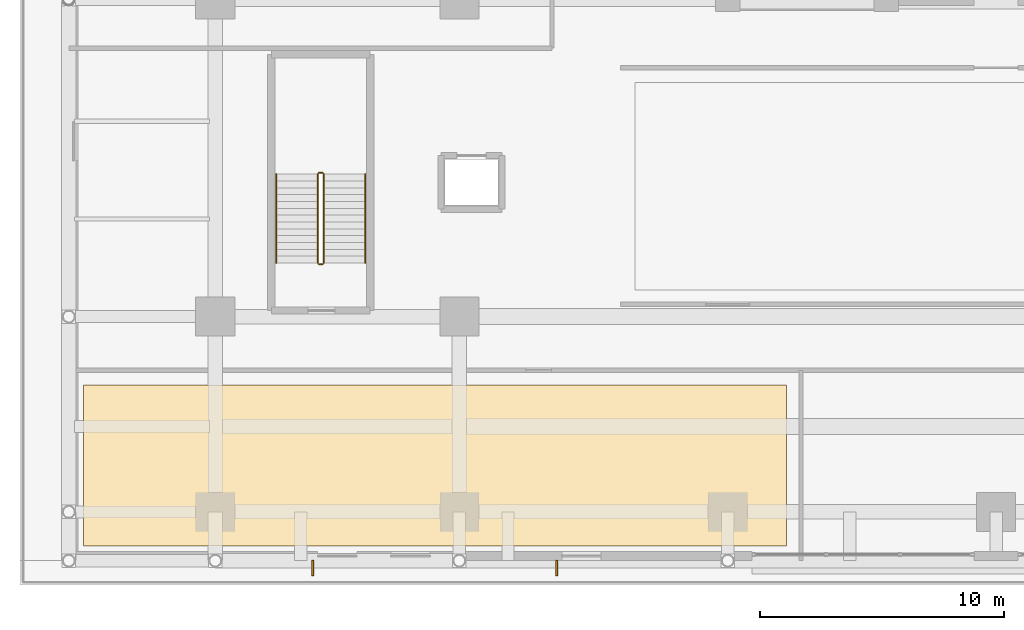
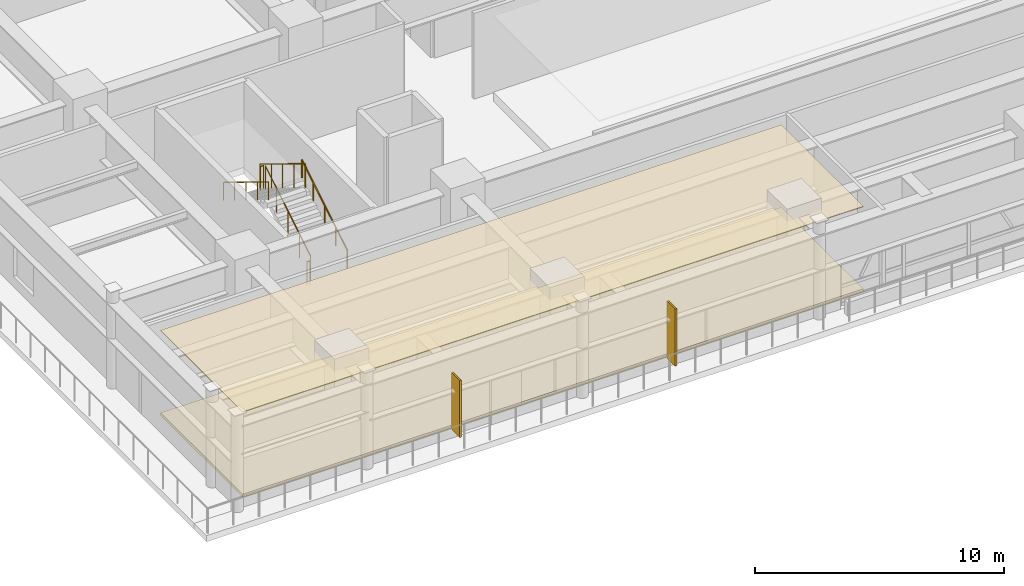
# One storey, part 29 of 35: 6 railings, 2 coverings, 2 shading devices.
"""IFC4 building model written with IfcOpenShell, lengths in metres."""

import ifcopenshell
import ifcopenshell.guid

model = None  # the IFC model being written
_history = None  # IfcOwnerHistory: only IFC2X3 demands one
_inside = {}  # id of a spatial element -> (the spatial element, [elements in it])
_under = {}  # id of a project, library or spatial element -> (it, [spatial elements below it])
_declared = {}  # id of a project -> (the project, [libraries it declares])
_typed = {}  # id of a type object -> (the type object, [elements of that type])
_made_of = {}  # id of a material, layer set ... -> (it, [elements and type objects made of it])


def new_model(schema):
    """Start an empty IFC model of exactly this schema.

    Asked for "IFC4X3", IfcOpenShell would pick the latest addendum, in which some entities
    have other attributes; the version numbers below select the first issue.
    IFC2X3 requires an IfcOwnerHistory on every rooted entity: one is made here for all.
    """
    global model, _history
    if schema == "IFC4X3":
        model = ifcopenshell.file(schema_version=(4, 3, 0, 0))
    else:
        model = ifcopenshell.file(schema=schema)
    _inside.clear()
    _under.clear()
    _declared.clear()
    _typed.clear()
    _made_of.clear()
    _history = None
    if model.schema == "IFC2X3":
        org = make("IfcOrganization", Name="unknown")
        user = make(
            "IfcPersonAndOrganization",
            ThePerson=make("IfcPerson", FamilyName="unknown"),
            TheOrganization=org,
        )
        app = make(
            "IfcApplication",
            ApplicationDeveloper=org,
            Version="unknown",
            ApplicationFullName="unknown",
            ApplicationIdentifier="unknown",
        )
        _history = make(
            "IfcOwnerHistory",
            OwningUser=user,
            OwningApplication=app,
            ChangeAction="ADDED",
            CreationDate=0,
        )
    return model


def make(cls, **values):
    """One entity of the class cls with the attributes given. An attribute that is None is left unset."""
    return model.create_entity(
        cls, **{name: value for name, value in values.items() if value is not None}
    )


def rooted(cls, **values):
    """An entity with a GlobalId (a new one), such as an element, a storey or a relation."""
    return make(cls, GlobalId=ifcopenshell.guid.new(), OwnerHistory=_history, **values)


def si_unit(unit_type, name, prefix=None):
    """IfcSIUnit, for example si_unit("LENGTHUNIT", "METRE", prefix="MILLI")."""
    return make("IfcSIUnit", UnitType=unit_type, Prefix=prefix, Name=name)


def assignment(units):
    """IfcUnitAssignment: the units of a project."""
    return None if units is None else make("IfcUnitAssignment", Units=units)


def point(xyz):
    """IfcCartesianPoint."""
    return None if xyz is None else make("IfcCartesianPoint", Coordinates=xyz)


def direction(xyz):
    """IfcDirection."""
    return None if xyz is None else make("IfcDirection", DirectionRatios=xyz)


def frame(location, z_axis=None, x_axis=None):
    """IfcAxis2Placement3D, a coordinate frame: its origin and axes. An axis left out is left unset."""
    return make(
        "IfcAxis2Placement3D",
        Location=point(location),
        Axis=direction(z_axis),
        RefDirection=direction(x_axis),
    )


def frame_2d(location, x_axis=None):
    """IfcAxis2Placement2D, a coordinate frame in the plane: its origin and x axis."""
    return make(
        "IfcAxis2Placement2D", Location=point(location), RefDirection=direction(x_axis)
    )


def origin():
    """The frame at (0, 0, 0) with its axes left unset."""
    return frame((0.0, 0.0, 0.0))


def origin_2d():
    """The frame at (0, 0) in the plane with its x axis left unset."""
    return frame_2d((0.0, 0.0))


def place(relative_to, where):
    """IfcLocalPlacement: puts the frame where relative to a parent placement (None: the world)."""
    return make(
        "IfcLocalPlacement", PlacementRelTo=relative_to, RelativePlacement=where
    )


def context(
    kind, dimensions, precision=None, world=None, true_north=None, identifier=None
):
    """IfcGeometricRepresentationContext, for example the 3D "Model" context."""
    return make(
        "IfcGeometricRepresentationContext",
        ContextIdentifier=identifier,
        ContextType=kind,
        CoordinateSpaceDimension=dimensions,
        Precision=precision,
        WorldCoordinateSystem=world,
        TrueNorth=true_north,
    )


def subcontext(parent, identifier, kind, view, scale=None):
    """IfcGeometricRepresentationSubContext, for example "Body" below "Model"."""
    return make(
        "IfcGeometricRepresentationSubContext",
        ContextIdentifier=identifier,
        ContextType=kind,
        ParentContext=parent,
        TargetScale=scale,
        TargetView=view,
    )


def project(units=None, contexts=None):
    """IfcProject with its units and contexts."""
    return rooted(
        "IfcProject",
        Name="project",
        RepresentationContexts=contexts,
        UnitsInContext=assignment(units),
    )


def spatial(cls, under=None, at=None, **own):
    """A site, building, storey or space (cls), placed at a placement, below another one or the project."""
    s = rooted(cls, ObjectPlacement=at, **own)
    if under is not None:
        _under.setdefault(under.id(), (under, []))[1].append(s)
    return s


def polyline(points):
    """IfcPolyline through the points."""
    return make("IfcPolyline", Points=[point(p) for p in points])


def profile(cls, at=None, kind="AREA", **sizes):
    """A parametric profile (cls). Its sizes go by their IFC names, for example OverallWidth=200.0."""
    return make(cls, ProfileType=kind, Position=at, **sizes)


def rectangle(**sizes):
    """IfcRectangleProfileDef."""
    return profile("IfcRectangleProfileDef", **sizes)


def circle(**sizes):
    """IfcCircleProfileDef."""
    return profile("IfcCircleProfileDef", **sizes)


def outline(outer, holes=None, kind="AREA"):
    """IfcArbitraryClosedProfileDef: a profile drawn as a closed curve; with holes, ...WithVoids."""
    if holes is None:
        return make("IfcArbitraryClosedProfileDef", ProfileType=kind, OuterCurve=outer)
    return make(
        "IfcArbitraryProfileDefWithVoids",
        ProfileType=kind,
        OuterCurve=outer,
        InnerCurves=holes,
    )


def extrude(swept, where, along, depth):
    """IfcExtrudedAreaSolid: the profile swept, set in the frame where, extruded along a direction by depth."""
    return make(
        "IfcExtrudedAreaSolid",
        SweptArea=swept,
        Position=where,
        ExtrudedDirection=direction(along),
        Depth=depth,
    )


def shape(context_of_items, identifier, shape_type, items):
    """IfcShapeRepresentation: the items that make up one representation, for example the "Body"."""
    return make(
        "IfcShapeRepresentation",
        ContextOfItems=context_of_items,
        RepresentationIdentifier=identifier,
        RepresentationType=shape_type,
        Items=items,
    )


def source(mapping_origin, context_of_items, identifier, shape_type, items):
    """IfcRepresentationMap: a shape defined once, which mapped items show again and again."""
    return make(
        "IfcRepresentationMap",
        MappingOrigin=mapping_origin,
        MappedRepresentation=shape(context_of_items, identifier, shape_type, items),
    )


def transform(
    local_origin,
    x_axis=None,
    y_axis=None,
    z_axis=None,
    scale=None,
    scale2=None,
    scale3=None,
    uniform=True,
):
    """IfcCartesianTransformationOperator3D, or its non-uniform kind. x_axis, y_axis, z_axis: its Axis1, 2, 3."""
    if uniform:
        return make(
            "IfcCartesianTransformationOperator3D",
            Axis1=direction(x_axis),
            Axis2=direction(y_axis),
            LocalOrigin=point(local_origin),
            Scale=scale,
            Axis3=direction(z_axis),
        )
    return make(
        "IfcCartesianTransformationOperator3DnonUniform",
        Axis1=direction(x_axis),
        Axis2=direction(y_axis),
        LocalOrigin=point(local_origin),
        Scale=scale,
        Axis3=direction(z_axis),
        Scale2=scale2,
        Scale3=scale3,
    )


def mapped(mapping_source, mapping_target):
    """IfcMappedItem: shows the shape of a source again, moved by a transform."""
    return make(
        "IfcMappedItem", MappingSource=mapping_source, MappingTarget=mapping_target
    )


def material(Name=None, Category=None):
    """IfcMaterial."""
    return make("IfcMaterial", Name=Name, Category=Category)


def layer(
    of_material, thickness, ventilated=None, Name=None, Category=None, Priority=None
):
    """IfcMaterialLayer: one layer of a wall or slab, of a material (None: an air gap)."""
    return make(
        "IfcMaterialLayer",
        Material=of_material,
        LayerThickness=thickness,
        IsVentilated=ventilated,
        Name=Name,
        Category=Category,
        Priority=Priority,
    )


def layer_set(layers, Name=None):
    """IfcMaterialLayerSet."""
    return make("IfcMaterialLayerSet", MaterialLayers=layers, LayerSetName=Name)


def made_of(thing, what):
    """Note that an element or type object is made of a material, layer set ...; save() writes the relation."""
    if what is not None:
        _made_of.setdefault(what.id(), (what, []))[1].append(thing)
    return thing


def type_object(cls, material=None, **own):
    """A type object (cls), such as IfcWallType, which elements share."""
    return made_of(rooted(cls, **own), material)


def element(
    cls,
    number,
    at=None,
    inside=None,
    cuts=None,
    type_object=None,
    material=None,
    context=None,
    identifier="Body",
    shape_type=None,
    held_by="IfcProductDefinitionShape",
    body=None,
    shapes=None,
    **own,
):
    """One element of the class cls, such as IfcWall. Its Tag is "e" and its number.

    at: its placement. inside: the storey or other place that contains it. cuts: it is an
    opening in that element (IfcRelVoidsElement). A single representation is given by context,
    identifier, shape_type and body (its items); several are given by shapes. held_by: the class
    of the entity that holds the representations. save() writes the other relations.
    """
    e = rooted(cls, Tag="e%d" % number, ObjectPlacement=at, **own)
    if body is not None:
        shapes = [shape(context, identifier, shape_type, body)]
    if shapes is not None:
        e.Representation = make(held_by, Representations=shapes)
    if inside is not None:
        _inside.setdefault(inside.id(), (inside, []))[1].append(e)
    if cuts is not None:
        rooted(
            "IfcRelVoidsElement", RelatingBuildingElement=cuts, RelatedOpeningElement=e
        )
    if type_object is not None:
        _typed.setdefault(type_object.id(), (type_object, []))[1].append(e)
    return made_of(e, material)


def aggregate(whole, parts):
    """IfcRelAggregates: a whole, such as a stair, and the parts it consists of."""
    return rooted("IfcRelAggregates", RelatingObject=whole, RelatedObjects=parts)


def save(model, path):
    """Write the relations noted so far, then the file.

    IfcRelAggregates (storeys below a building ...), IfcRelContainedInSpatialStructure (elements
    in a storey), IfcRelDefinesByType, IfcRelAssociatesMaterial and IfcRelDeclares: one each for
    every whole, place, type object, material and project.
    """
    for whole, parts in _under.values():
        aggregate(whole, parts)
    for where, things in _inside.values():
        rooted(
            "IfcRelContainedInSpatialStructure",
            RelatedElements=things,
            RelatingStructure=where,
        )
    for kind, things in _typed.values():
        rooted("IfcRelDefinesByType", RelatedObjects=things, RelatingType=kind)
    for what, things in _made_of.values():
        rooted("IfcRelAssociatesMaterial", RelatedObjects=things, RelatingMaterial=what)
    for by, libraries in _declared.values():
        rooted("IfcRelDeclares", RelatingContext=by, RelatedDefinitions=libraries)
    model.write(path)


model = new_model("IFC4")

# Units and contexts
model_context = context("Model", 3, precision=1e-05, world=origin(), true_north=direction((0.0, 1.0)))
body_context = subcontext(model_context, "Body", "Model", "MODEL_VIEW")
ifc_project = project(units=[si_unit("LENGTHUNIT", "METRE"), si_unit("AREAUNIT", "SQUARE_METRE"), si_unit("VOLUMEUNIT", "CUBIC_METRE"), si_unit("PLANEANGLEUNIT", "RADIAN"), si_unit("MASSUNIT", "GRAM", prefix="KILO")], contexts=[model_context])

# Site, building, storey
site_placement = place(None, origin())
site = spatial("IfcSite", under=ifc_project, at=site_placement, CompositionType="ELEMENT")
building_placement = place(site_placement, origin())
building = spatial("IfcBuilding", under=site, at=building_placement, Name="Khorayat Bourse Tower", CompositionType="ELEMENT")
storey_placement = place(building_placement, frame((0.0, 0.0, 22.199951171875)))
storey = spatial("IfcBuildingStorey", under=building, at=storey_placement, Name="L04", CompositionType="ELEMENT", Elevation=22.199951171875)

# Coverings
ifc_material_1 = material(Name="Mineral fibre acoustic ceiling tile")
ifc_layer_1 = layer(ifc_material_1, 0.0400390625)
ifc_layer_set_1 = layer_set([ifc_layer_1], Name="Mineral fibre acoustic ceiling tile")
covering_type_1 = type_object("IfcCoveringType", Name="COV-CEIL-ACOUSTIC", PredefinedType="CEILING", material=ifc_layer_set_1)
covering_1_placement = place(storey_placement, frame((0.0, 0.0, 4.16015625)))
element("IfcCovering", 1, at=covering_1_placement, inside=storey, type_object=covering_type_1, Name="L04 Suspended Ceiling 2", PredefinedType="CEILING", context=body_context, shape_type="SweptSolid", body=[
    extrude(outline(polyline([(-37.39990234375, -33.39990234375), (-8.60009765625, -33.39990234375), (-8.60009765625, -26.800048828125), (-37.39990234375, -26.800048828125), (-37.39990234375, -33.39990234375)])), origin(), (0.0, 0.0, 1.0), 0.039794921875),
])
ifc_material_2 = material(Name="Steel-encapsulated raised access floor", Category="steel")
ifc_layer_2 = layer(ifc_material_2, 0.14990234375)
ifc_layer_set_2 = layer_set([ifc_layer_2], Name="Steel-encapsulated raised access floor")
covering_type_2 = type_object("IfcCoveringType", Name="COV-RAF-OFFICE", PredefinedType="FLOORING", material=ifc_layer_set_2)
covering_2_placement = place(storey_placement, origin())
element("IfcCovering", 2, at=covering_2_placement, inside=storey, type_object=covering_type_2, Name="L04 Raised Access Floor 2", PredefinedType="FLOORING", context=body_context, shape_type="SweptSolid", body=[
    extrude(outline(polyline([(-37.39990234375, -33.39990234375), (-8.60009765625, -33.39990234375), (-8.60009765625, -26.800048828125), (-37.39990234375, -26.800048828125), (-37.39990234375, -33.39990234375)])), origin(), (0.0, 0.0, 1.0), 0.150146484375),
])

# Shading devices
ifc_material_3 = material(Name="Anodised champagne aluminium", Category="aluminium")
ifc_layer_3 = layer(ifc_material_3, 0.080078125)
ifc_layer_set_3 = layer_set([ifc_layer_3], Name="Anodised champagne aluminium")
shading_device_type = type_object("IfcShadingDeviceType", Name="SHD-MASHRABIYA-FIN", PredefinedType="USERDEFINED", material=ifc_layer_set_3)
shared_shape_1 = source(origin(), body_context, "Body", "SweptSolid", [
    extrude(rectangle(XDim=0.080078125, YDim=0.64990234375, at=origin_2d()), origin(), (0.0, 0.0, 1.0), 2.800048828125),
])
for number, where, z_axis, x_axis, name in (
    (3, (-28.0, -34.300048828125, 0.39990234375), (0.0, 0.0, 1.0), (1.0, 0.0, 0.0), "L04 Mashrabiya Vertical Shading Fin 1"),
    (4, (-18.0, -34.300048828125, 0.39990234375), (0.0, 0.0, 1.0), (1.0, 0.0, 0.0), "L04 Mashrabiya Vertical Shading Fin 2"),
):
    element("IfcShadingDevice", number, at=place(storey_placement, frame(where, z_axis=z_axis, x_axis=x_axis)), inside=storey, type_object=shading_device_type, Name=name, ObjectType="FIN", PredefinedType="USERDEFINED", context=body_context, shape_type="MappedRepresentation", body=[
        mapped(shared_shape_1, transform((0.0, 0.0, 0.0), scale=1.0)),
    ])

# Railings
ifc_material_4 = material(Name="Powder-coated steel balustrade", Category="steel")
railing_type_1 = type_object("IfcRailingType", Name="RLG-GUARD-1200", PredefinedType="GUARDRAIL", material=ifc_material_4)
shared_shape_2 = source(origin(), body_context, "Body", "SweptSolid", [
    extrude(circle(Radius=0.02392578125, at=origin_2d()), frame((0.0, 0.0, 1.17578125), z_axis=(-1.0, 0.0, 0.0), x_axis=(0.0, -1.0, 0.0)), (0.0, 0.0, 1.0), 0.14990234375),
    extrude(circle(Radius=0.02099609375, at=origin_2d()), origin(), (0.0, 0.0, 1.0), 1.15185546875),
    extrude(circle(Radius=0.02099609375, at=origin_2d()), frame((-0.14990234375, 0.0, 0.0)), (0.0, 0.0, 1.0), 1.15185546875),
])
for number, where, name in (
    (5, (-27.60009765625, -18.110107421875, 2.400146484375), "L04 ST-P1 stair guard 2"),
    (6, (-27.60009765625, -21.85009765625, 0.0), "L04 ST-P1 stair guard 4"),
):
    element("IfcRailing", number, at=place(storey_placement, frame(where)), inside=storey, type_object=railing_type_1, Name=name, PredefinedType="GUARDRAIL", context=body_context, shape_type="MappedRepresentation", body=[
        mapped(shared_shape_2, transform((0.0, 0.0, 0.0), scale=1.0)),
    ])
shared_shape_3 = source(origin(), body_context, "Body", "SweptSolid", [
    extrude(circle(Radius=0.02392578125, at=origin_2d()), frame((0.0, 0.0, 1.17578125), z_axis=(0.0, -0.852865859571, 0.52213008492), x_axis=(1.0, 0.0, 0.0)), (0.0, 0.0, 1.0), 4.26806640625),
    extrude(circle(Radius=0.02099609375, at=origin_2d()), origin(), (0.0, 0.0, 1.0), 1.15185546875),
    extrude(circle(Radius=0.02099609375, at=origin_2d()), frame((0.0, -0.91015625, 0.55712890625)), (0.0, 0.0, 1.0), 1.15185546875),
    extrude(circle(Radius=0.02099609375, at=origin_2d()), frame((0.0, -1.820068359375, 1.1142578125)), (0.0, 0.0, 1.0), 1.15185546875),
    extrude(circle(Radius=0.02099609375, at=origin_2d()), frame((0.0, -2.72998046875, 1.67138671875)), (0.0, 0.0, 1.0), 1.15185546875),
    extrude(circle(Radius=0.02099609375, at=origin_2d()), frame((0.0, -3.64013671875, 2.228515625)), (0.0, 0.0, 1.0), 1.15185546875),
])
railing_1_placement = place(storey_placement, frame((-27.800048828125, -18.159912109375, 2.571533203125)))
element("IfcRailing", 7, at=railing_1_placement, inside=storey, type_object=railing_type_1, Name="L04 ST-P1 stair guard 3", PredefinedType="GUARDRAIL", context=body_context, shape_type="MappedRepresentation", body=[
    mapped(shared_shape_3, transform((0.0, 0.0, 0.0), scale=1.0)),
])
ifc_material_5 = material(Name="Brushed bronze stainless-steel handrail", Category="steel")
railing_type_2 = type_object("IfcRailingType", Name="RLG-HAND-900", PredefinedType="HANDRAIL", material=ifc_material_5)
shared_shape_4 = source(origin(), body_context, "Body", "SweptSolid", [
    extrude(circle(Radius=0.02392578125, at=origin_2d()), frame((0.0, 0.0, 0.8759765625), z_axis=(0.0, -0.852865859571, 0.52213008492), x_axis=(1.0, 0.0, 0.0)), (0.0, 0.0, 1.0), 4.26806640625),
    extrude(circle(Radius=0.02099609375, at=origin_2d()), origin(), (0.0, 0.0, 1.0), 0.851806640625),
    extrude(circle(Radius=0.02099609375, at=origin_2d()), frame((0.0, -0.91015625, 0.55712890625)), (0.0, 0.0, 1.0), 0.851806640625),
    extrude(circle(Radius=0.02099609375, at=origin_2d()), frame((0.0, -1.820068359375, 1.1142578125)), (0.0, 0.0, 1.0), 0.851806640625),
    extrude(circle(Radius=0.02099609375, at=origin_2d()), frame((0.0, -2.72998046875, 1.67138671875)), (0.0, 0.0, 1.0), 0.851806640625),
    extrude(circle(Radius=0.02099609375, at=origin_2d()), frame((0.0, -3.64013671875, 2.228515625)), (0.0, 0.0, 1.0), 0.851806640625),
])
railing_2_placement = place(storey_placement, frame((-29.5, -18.159912109375, 2.571533203125)))
element("IfcRailing", 8, at=railing_2_placement, inside=storey, type_object=railing_type_2, Name="L04 ST-P1 stair handrail 2", PredefinedType="HANDRAIL", context=body_context, shape_type="MappedRepresentation", body=[
    mapped(shared_shape_4, transform((0.0, 0.0, 0.0), scale=1.0)),
])
shared_shape_5 = source(origin(), body_context, "Body", "SweptSolid", [
    extrude(circle(Radius=0.02392578125, at=origin_2d()), frame((0.0, 0.0, 1.17578125), z_axis=(0.0, 0.852840387347, 0.522171689878), x_axis=(-1.0, 0.0, 0.0)), (0.0, 0.0, 1.0), 4.268310546875),
    extrude(circle(Radius=0.02099609375, at=origin_2d()), origin(), (0.0, 0.0, 1.0), 1.15185546875),
    extrude(circle(Radius=0.02099609375, at=origin_2d()), frame((0.0, 0.91015625, 0.55712890625)), (0.0, 0.0, 1.0), 1.15185546875),
    extrude(circle(Radius=0.02099609375, at=origin_2d()), frame((0.0, 1.820068359375, 1.1142578125)), (0.0, 0.0, 1.0), 1.15185546875),
    extrude(circle(Radius=0.02099609375, at=origin_2d()), frame((0.0, 2.72998046875, 1.671630859375)), (0.0, 0.0, 1.0), 1.15185546875),
    extrude(circle(Radius=0.02099609375, at=origin_2d()), frame((0.0, 3.64013671875, 2.228759765625)), (0.0, 0.0, 1.0), 1.15185546875),
])
railing_3_placement = place(storey_placement, frame((-27.550048828125, -21.800048828125, 0.17138671875)))
element("IfcRailing", 9, at=railing_3_placement, inside=storey, type_object=railing_type_1, Name="L04 ST-P1 stair guard 1", PredefinedType="GUARDRAIL", context=body_context, shape_type="MappedRepresentation", body=[
    mapped(shared_shape_5, transform((0.0, 0.0, 0.0), scale=1.0)),
])
shared_shape_6 = source(origin(), body_context, "Body", "SweptSolid", [
    extrude(circle(Radius=0.02392578125, at=origin_2d()), frame((0.0, 0.0, 0.8759765625), z_axis=(0.0, 0.852840387347, 0.522171689878), x_axis=(-1.0, 0.0, 0.0)), (0.0, 0.0, 1.0), 4.268310546875),
    extrude(circle(Radius=0.02099609375, at=origin_2d()), origin(), (0.0, 0.0, 1.0), 0.851806640625),
    extrude(circle(Radius=0.02099609375, at=origin_2d()), frame((0.0, 0.91015625, 0.55712890625)), (0.0, 0.0, 1.0), 0.851806640625),
    extrude(circle(Radius=0.02099609375, at=origin_2d()), frame((0.0, 1.820068359375, 1.1142578125)), (0.0, 0.0, 1.0), 0.851806640625),
    extrude(circle(Radius=0.02099609375, at=origin_2d()), frame((0.0, 2.72998046875, 1.671630859375)), (0.0, 0.0, 1.0), 0.851806640625),
    extrude(circle(Radius=0.02099609375, at=origin_2d()), frame((0.0, 3.64013671875, 2.228759765625)), (0.0, 0.0, 1.0), 0.851806640625),
])
railing_4_placement = place(storey_placement, frame((-25.85009765625, -21.800048828125, 0.17138671875)))
element("IfcRailing", 10, at=railing_4_placement, inside=storey, type_object=railing_type_2, Name="L04 ST-P1 stair handrail 1", PredefinedType="HANDRAIL", context=body_context, shape_type="MappedRepresentation", body=[
    mapped(shared_shape_6, transform((0.0, 0.0, 0.0), scale=1.0)),
])

save(model, "model.ifc")
